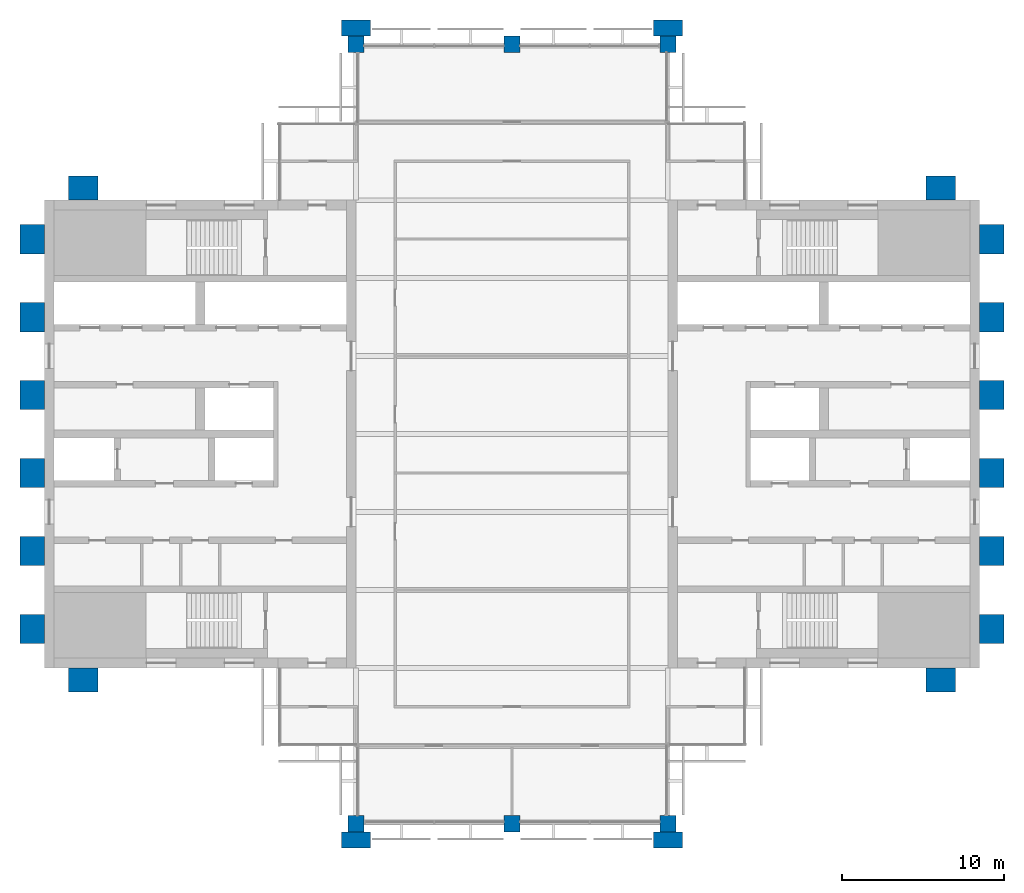
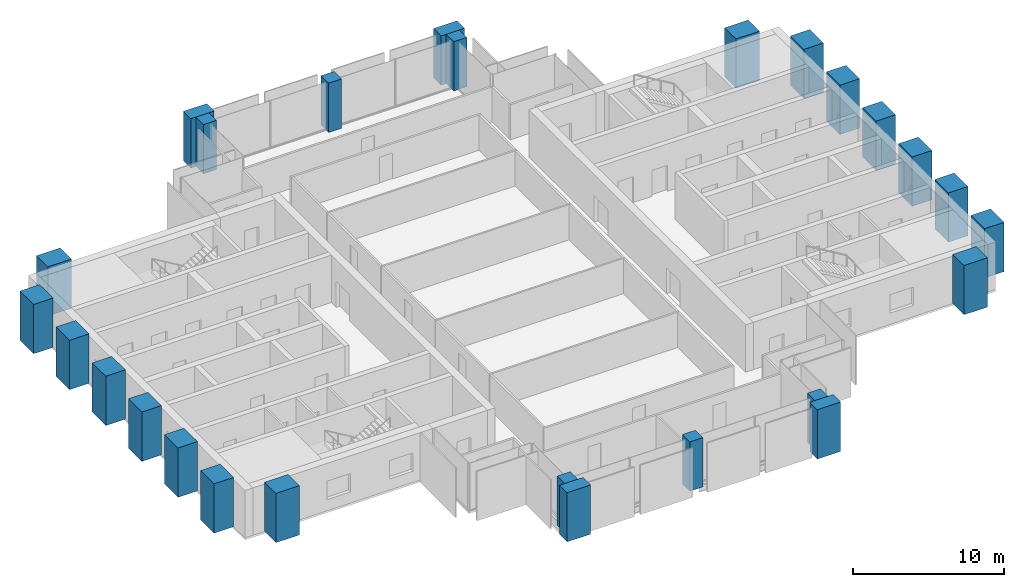
# One storey, part 1 of 12: 26 columns.
"""IFC4 building model written with IfcOpenShell, lengths in metres."""

from ifc_helpers import new_model, si_unit, direction, frame, origin, origin_2d, place, context, subcontext, project, spatial, rectangle, extrude, material, material_profile, profile_set, type_object, element, save


model = new_model("IFC4")

# Units and contexts
model_context = context("Model", 3, precision=1e-05, world=origin(), true_north=direction((0.0, 1.0)))
body_context = subcontext(model_context, "Body", "Model", "MODEL_VIEW")
ifc_project = project(units=[si_unit("LENGTHUNIT", "METRE"), si_unit("AREAUNIT", "SQUARE_METRE"), si_unit("VOLUMEUNIT", "CUBIC_METRE"), si_unit("PLANEANGLEUNIT", "RADIAN"), si_unit("MASSUNIT", "GRAM", prefix="KILO")], contexts=[model_context])

# Site, building, storey
site_placement = place(None, origin())
site = spatial("IfcSite", under=ifc_project, at=site_placement, CompositionType="ELEMENT")
building_placement = place(site_placement, origin())
building = spatial("IfcBuilding", under=site, at=building_placement, Name="Baori Bourse Tower", CompositionType="ELEMENT")
storey_placement = place(building_placement, frame((0.0, 0.0, 322.300048828125)))
storey = spatial("IfcBuildingStorey", under=building, at=storey_placement, Name="L71", CompositionType="ELEMENT", Elevation=322.300048828125)

# Columns
ifc_material_1 = material(Name="Concrete f'c 60 MPa", Category="concrete")
ifc_material_profile_1 = material_profile(ifc_material_1, rectangle(XDim=1.800048828125, YDim=1.0, at=origin_2d()), Name="RC 1800x1000")
ifc_profile_set_1 = profile_set([ifc_material_profile_1], Name="Concrete f'c 60 MPa")
column_type_1 = type_object("IfcColumnType", Name="FN3 Brick pilaster 1800x1000", PredefinedType="PILASTER", material=ifc_profile_set_1)
for number, where, z_axis, x_axis, name in (
    (1, (19.199951171875, -1.0, 0.0), (0.0, 0.0, 1.0), (1.0, 0.0, 0.0), "Brick pilaster L71 17"),
    (2, (38.39990234375, -1.0, 0.0), (0.0, 0.0, 1.0), (1.0, 0.0, 0.0), "Brick pilaster L71 18"),
    (3, (19.199951171875, 49.0, 0.0), (0.0, 0.0, 1.0), (1.0, 0.0, 0.0), "Brick pilaster L71 19"),
    (4, (38.39990234375, 49.0, 0.0), (0.0, 0.0, 1.0), (1.0, 0.0, 0.0), "Brick pilaster L71 20"),
):
    element("IfcColumn", number, at=place(storey_placement, frame(where, z_axis=z_axis, x_axis=x_axis)), inside=storey, type_object=column_type_1, Name=name, PredefinedType="PILASTER", context=body_context, shape_type="SweptSolid", body=[
        extrude(rectangle(XDim=1.800048828125, YDim=1.0, at=origin_2d()), origin(), (0.0, 0.0, 1.0), 4.0),
    ])
ifc_material_2 = material(Name="Concrete f'c 60 MPa", Category="concrete")
ifc_material_profile_2 = material_profile(ifc_material_2, rectangle(XDim=1.800048828125, YDim=1.5, at=origin_2d()), Name="RC 1800x1500")
ifc_profile_set_2 = profile_set([ifc_material_profile_2], Name="Concrete f'c 60 MPa")
column_type_2 = type_object("IfcColumnType", Name="FN4 Brick flank pilaster 1800x1500", PredefinedType="PILASTER", material=ifc_profile_set_2)
for number, where, z_axis, x_axis, name in (
    (5, (55.199951171875, 8.85009765625, 0.0), (0.0, 0.0, 1.0), (1.0, 0.0, 0.0), "Brick pilaster L71 1"),
    (6, (58.35009765625, 12.0, 0.0), (0.0, 0.0, 1.0), (0.0, 1.0, 0.0), "Brick pilaster L71 2"),
    (7, (58.35009765625, 16.800048828125, 0.0), (0.0, 0.0, 1.0), (0.0, 1.0, 0.0), "Brick pilaster L71 3"),
    (8, (58.35009765625, 21.60009765625, 0.0), (0.0, 0.0, 1.0), (0.0, 1.0, 0.0), "Brick pilaster L71 4"),
    (9, (58.35009765625, 26.39990234375, 0.0), (0.0, 0.0, 1.0), (0.0, 1.0, 0.0), "Brick pilaster L71 5"),
    (10, (58.35009765625, 31.199951171875, 0.0), (0.0, 0.0, 1.0), (0.0, 1.0, 0.0), "Brick pilaster L71 6"),
    (11, (58.35009765625, 36.0, 0.0), (0.0, 0.0, 1.0), (0.0, 1.0, 0.0), "Brick pilaster L71 7"),
    (12, (55.199951171875, 39.14990234375, 0.0), (0.0, 0.0, 1.0), (1.0, 0.0, 0.0), "Brick pilaster L71 8"),
    (13, (2.39990234375, 39.14990234375, 0.0), (0.0, 0.0, 1.0), (1.0, 0.0, 0.0), "Brick pilaster L71 9"),
    (14, (-0.75, 12.0, 0.0), (0.0, 0.0, 1.0), (0.0, 1.0, 0.0), "Brick pilaster L71 10"),
    (15, (-0.75, 16.800048828125, 0.0), (0.0, 0.0, 1.0), (0.0, 1.0, 0.0), "Brick pilaster L71 11"),
    (16, (-0.75, 21.60009765625, 0.0), (0.0, 0.0, 1.0), (0.0, 1.0, 0.0), "Brick pilaster L71 12"),
    (17, (-0.75, 26.39990234375, 0.0), (0.0, 0.0, 1.0), (0.0, 1.0, 0.0), "Brick pilaster L71 13"),
    (18, (-0.75, 31.199951171875, 0.0), (0.0, 0.0, 1.0), (0.0, 1.0, 0.0), "Brick pilaster L71 14"),
    (19, (-0.75, 36.0, 0.0), (0.0, 0.0, 1.0), (0.0, 1.0, 0.0), "Brick pilaster L71 15"),
    (20, (2.39990234375, 8.85009765625, 0.0), (0.0, 0.0, 1.0), (1.0, 0.0, 0.0), "Brick pilaster L71 16"),
):
    element("IfcColumn", number, at=place(storey_placement, frame(where, z_axis=z_axis, x_axis=x_axis)), inside=storey, type_object=column_type_2, Name=name, PredefinedType="PILASTER", context=body_context, shape_type="SweptSolid", body=[
        extrude(rectangle(XDim=1.800048828125, YDim=1.5, at=origin_2d()), origin(), (0.0, 0.0, 1.0), 4.0),
    ])
ifc_material_3 = material(Name="Concrete f'c 40 MPa", Category="concrete")
ifc_material_profile_3 = material_profile(ifc_material_3, rectangle(XDim=1.0, YDim=1.0, at=origin_2d()), Name="RC 1000x1000")
ifc_profile_set_3 = profile_set([ifc_material_profile_3], Name="Concrete f'c 40 MPa")
column_type_3 = type_object("IfcColumnType", Name="Perimeter column 40 RC 1000x1000", PredefinedType="COLUMN", material=ifc_profile_set_3)
for number, where, z_axis, x_axis, name in (
    (21, (19.199951171875, 0.0, 0.0), (0.0, 0.0, 1.0), (1.0, 0.0, 0.0), "Perimeter column L71"),
    (22, (28.800048828125, 0.0, 0.0), (0.0, 0.0, 1.0), (1.0, 0.0, 0.0), "Perimeter column L71"),
    (23, (38.39990234375, 0.0, 0.0), (0.0, 0.0, 1.0), (1.0, 0.0, 0.0), "Perimeter column L71"),
    (24, (19.199951171875, 48.0, 0.0), (0.0, 0.0, 1.0), (1.0, 0.0, 0.0), "Perimeter column L71"),
    (25, (28.800048828125, 48.0, 0.0), (0.0, 0.0, 1.0), (1.0, 0.0, 0.0), "Perimeter column L71"),
    (26, (38.39990234375, 48.0, 0.0), (0.0, 0.0, 1.0), (1.0, 0.0, 0.0), "Perimeter column L71"),
):
    element("IfcColumn", number, at=place(storey_placement, frame(where, z_axis=z_axis, x_axis=x_axis)), inside=storey, type_object=column_type_3, Name=name, PredefinedType="COLUMN", context=body_context, shape_type="SweptSolid", body=[
        extrude(rectangle(XDim=1.0, YDim=1.0, at=origin_2d()), origin(), (0.0, 0.0, 1.0), 4.0),
    ])

save(model, "model.ifc")
